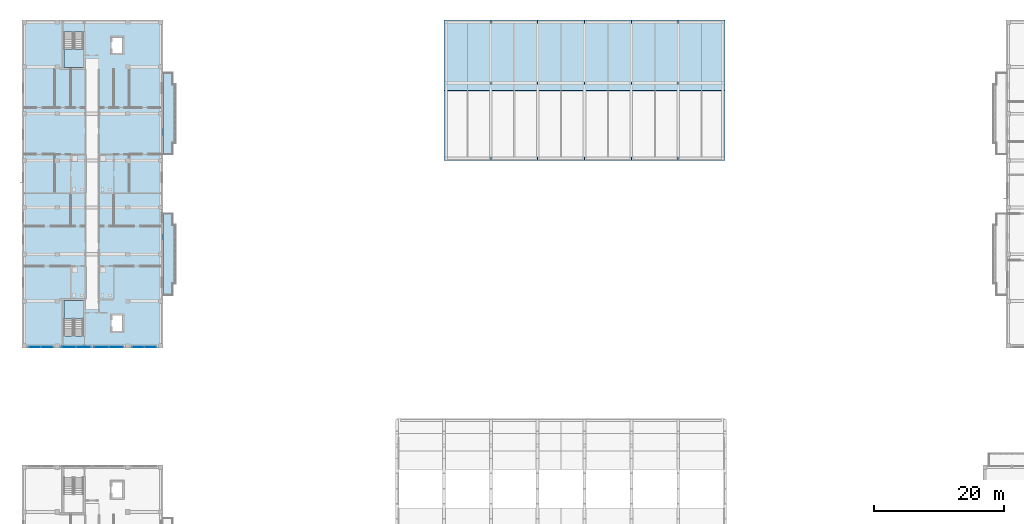
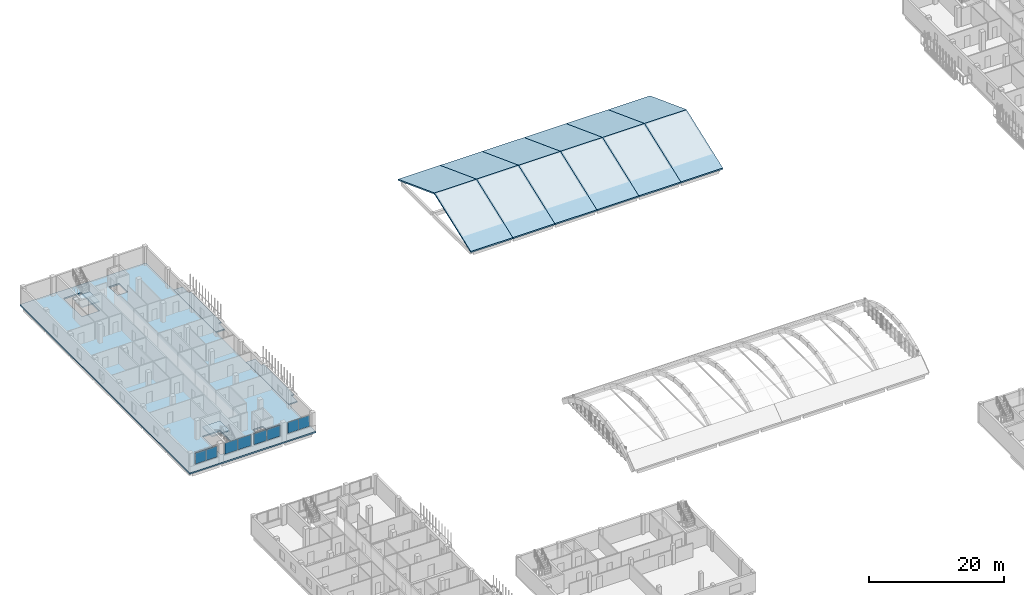
# One storey, part 32 of 73: 17 slabs, 8 plates, 7 elements without a shape of their own.
"""IFC4 building model written with IfcOpenShell, lengths in metres."""

from ifc_helpers import new_model, si_unit, derived_unit, direction, frame, origin, origin_2d, place, context, subcontext, project, spatial, polyline, rectangle, outline, extrude, material, layer, layer_set, type_object, element, aggregate, save


model = new_model("IFC4")

# Units and contexts
model_context = context("Model", 3, precision=1e-05, world=origin(), true_north=direction((0.0, 1.0)))
body_context = subcontext(model_context, "Body", "Model", "MODEL_VIEW")
ifc_project = project(units=[si_unit("LENGTHUNIT", "METRE"), si_unit("AREAUNIT", "SQUARE_METRE"), si_unit("VOLUMEUNIT", "CUBIC_METRE"), si_unit("PLANEANGLEUNIT", "RADIAN"), si_unit("MASSUNIT", "GRAM", prefix="KILO"), derived_unit("THERMALTRANSMITTANCEUNIT", [(si_unit("MASSUNIT", "GRAM", prefix="KILO"), 1), (si_unit("TIMEUNIT", "SECOND"), -3), (si_unit("THERMODYNAMICTEMPERATUREUNIT", "KELVIN"), -1)])], contexts=[model_context])

# Site, building, storey
site_placement = place(None, origin())
site = spatial("IfcSite", under=ifc_project, at=site_placement, CompositionType="ELEMENT")
building_placement = place(site_placement, origin())
building = spatial("IfcBuilding", under=site, at=building_placement, Name="Ochrekiln Boulevard Commons", CompositionType="ELEMENT")
storey_placement = place(building_placement, frame((0.0, 0.0, 8.574951171875)))
storey = spatial("IfcBuildingStorey", under=building, at=storey_placement, Name="L02", CompositionType="ELEMENT", Elevation=8.574951171875)

# Curtain wall, plates
ifc_material_1 = material(Name="Bronze-anodized extruded aluminium 6063-T6", Category="aluminium")
ifc_layer_1 = layer(ifc_material_1, 0.172119140625)
ifc_layer_set_1 = layer_set([ifc_layer_1], Name="Bronze-anodized extruded aluminium 6063-T6")
curtain_wall_type = type_object("IfcCurtainWallType", Name="CW-GABLE-A", PredefinedType="USERDEFINED", material=ifc_layer_set_1)
curtain_wall_1_placement = place(storey_placement, origin())
curtain_wall_1 = element("IfcCurtainWall", 1, at=curtain_wall_1_placement, inside=storey, type_object=curtain_wall_type, Name="Block A L02 Courtyard Glazed Gable Curtain Wall 4", ObjectType="GLAZED CURTAIN WALL", PredefinedType="USERDEFINED")
ifc_material_2 = material(Name="Spectrally selective low-E insulated glazing", Category="glass")
ifc_layer_2 = layer(ifc_material_2, 0.02392578125)
ifc_layer_set_2 = layer_set([ifc_layer_2], Name="Spectrally selective low-E insulated glazing")
plate_type_1 = type_object("IfcPlateType", Name="CWP-GLZ-1", PredefinedType="CURTAIN_PANEL", material=ifc_layer_set_2)
plate_1_placement = place(storey_placement, frame((17.788818359375, 68.56005859375, 1.175048828125), z_axis=(0.0, 0.0, 1.0), x_axis=(1.0, 0.0, 0.0)))
plate_1 = element("IfcPlate", 2, at=plate_1_placement, type_object=plate_type_1, Name="CW-01 panel 1.1", PredefinedType="CURTAIN_PANEL", context=body_context, shape_type="SweptSolid", body=[
    extrude(rectangle(XDim=1.8076171875, YDim=0.02392578125, at=origin_2d()), origin(), (0.0, 0.0, 1.0), 2.0),
])
plate_2_placement = place(storey_placement, frame((19.6611328125, 68.56005859375, 1.175048828125), z_axis=(0.0, 0.0, 1.0), x_axis=(1.0, 0.0, 0.0)))
plate_2 = element("IfcPlate", 3, at=plate_2_placement, type_object=plate_type_1, Name="CW-01 panel 2.1", PredefinedType="CURTAIN_PANEL", context=body_context, shape_type="SweptSolid", body=[
    extrude(rectangle(XDim=1.8076171875, YDim=0.02392578125, at=origin_2d()), origin(), (0.0, 0.0, 1.0), 2.0),
])
aggregate(curtain_wall_1, [plate_1, plate_2])

curtain_wall_2_placement = place(storey_placement, origin())
curtain_wall_2 = element("IfcCurtainWall", 4, at=curtain_wall_2_placement, inside=storey, type_object=curtain_wall_type, Name="Block A L02 Courtyard Glazed Gable Curtain Wall 1", ObjectType="GLAZED CURTAIN WALL", PredefinedType="USERDEFINED")
ifc_layer_3 = layer(ifc_material_2, 0.030029296875)
ifc_layer_set_3 = layer_set([ifc_layer_3], Name="Spectrally selective low-E insulated glazing")
plate_type_2 = type_object("IfcPlateType", Name="CWP-GLZ-2", PredefinedType="CURTAIN_PANEL", material=ifc_layer_set_3)
plate_3_placement = place(storey_placement, frame((1.9375, 68.56005859375, 1.169921875), z_axis=(0.0, 0.0, 1.0), x_axis=(1.0, 0.0, 0.0)))
plate_3 = element("IfcPlate", 5, at=plate_3_placement, type_object=plate_type_2, Name="CW-01 panel 1.1", PredefinedType="CURTAIN_PANEL", context=body_context, shape_type="SweptSolid", body=[
    extrude(rectangle(XDim=1.81494140625, YDim=0.030029296875, at=origin_2d()), origin(), (0.0, 0.0, 1.0), 2.010009765625),
])
plate_4_placement = place(storey_placement, frame((3.8125, 68.56005859375, 1.169921875), z_axis=(0.0, 0.0, 1.0), x_axis=(1.0, 0.0, 0.0)))
plate_4 = element("IfcPlate", 6, at=plate_4_placement, type_object=plate_type_2, Name="CW-01 panel 2.1", PredefinedType="CURTAIN_PANEL", context=body_context, shape_type="SweptSolid", body=[
    extrude(rectangle(XDim=1.81494140625, YDim=0.030029296875, at=origin_2d()), origin(), (0.0, 0.0, 1.0), 2.010009765625),
])
aggregate(curtain_wall_2, [plate_3, plate_4])

curtain_wall_3_placement = place(storey_placement, origin())
curtain_wall_3 = element("IfcCurtainWall", 7, at=curtain_wall_3_placement, inside=storey, type_object=curtain_wall_type, Name="Block A L02 Courtyard Glazed Gable Curtain Wall 2", ObjectType="GLAZED CURTAIN WALL", PredefinedType="USERDEFINED")
ifc_layer_4 = layer(ifc_material_2, 0.035888671875)
ifc_layer_set_4 = layer_set([ifc_layer_4], Name="Spectrally selective low-E insulated glazing")
plate_type_3 = type_object("IfcPlateType", Name="CWP-GLZ-3", PredefinedType="CURTAIN_PANEL", material=ifc_layer_set_4)
plate_5_placement = place(storey_placement, frame((7.18115234375, 68.56005859375, 1.175048828125), z_axis=(0.0, 0.0, 1.0), x_axis=(1.0, 0.0, 0.0)))
plate_5 = element("IfcPlate", 8, at=plate_5_placement, type_object=plate_type_3, Name="CW-01 panel 1.1", PredefinedType="CURTAIN_PANEL", context=body_context, shape_type="SweptSolid", body=[
    extrude(rectangle(XDim=2.1923828125, YDim=0.035888671875, at=origin_2d()), origin(), (0.0, 0.0, 1.0), 2.0),
])
plate_6_placement = place(storey_placement, frame((9.438720703125, 68.56005859375, 1.175048828125), z_axis=(0.0, 0.0, 1.0), x_axis=(1.0, 0.0, 0.0)))
plate_6 = element("IfcPlate", 9, at=plate_6_placement, type_object=plate_type_3, Name="CW-01 panel 2.1", PredefinedType="CURTAIN_PANEL", context=body_context, shape_type="SweptSolid", body=[
    extrude(rectangle(XDim=2.1923828125, YDim=0.035888671875, at=origin_2d()), origin(), (0.0, 0.0, 1.0), 2.0),
])
aggregate(curtain_wall_3, [plate_5, plate_6])

curtain_wall_4_placement = place(storey_placement, origin())
curtain_wall_4 = element("IfcCurtainWall", 10, at=curtain_wall_4_placement, inside=storey, type_object=curtain_wall_type, Name="Block A L02 Courtyard Glazed Gable Curtain Wall 3", ObjectType="GLAZED CURTAIN WALL", PredefinedType="USERDEFINED")
ifc_layer_5 = layer(ifc_material_2, 0.0419921875)
ifc_layer_set_5 = layer_set([ifc_layer_5], Name="Spectrally selective low-E insulated glazing")
plate_type_4 = type_object("IfcPlateType", Name="CWP-GLZ-4", PredefinedType="CURTAIN_PANEL", material=ifc_layer_set_5)
plate_7_placement = place(storey_placement, frame((12.159912109375, 68.56005859375, 1.169921875), z_axis=(0.0, 0.0, 1.0), x_axis=(1.0, 0.0, 0.0)))
plate_7 = element("IfcPlate", 11, at=plate_7_placement, type_object=plate_type_4, Name="CW-01 panel 1.1", PredefinedType="CURTAIN_PANEL", context=body_context, shape_type="SweptSolid", body=[
    extrude(rectangle(XDim=2.199951171875, YDim=0.0419921875, at=origin_2d()), origin(), (0.0, 0.0, 1.0), 2.010009765625),
])
plate_8_placement = place(storey_placement, frame((14.419921875, 68.56005859375, 1.169921875), z_axis=(0.0, 0.0, 1.0), x_axis=(1.0, 0.0, 0.0)))
plate_8 = element("IfcPlate", 12, at=plate_8_placement, type_object=plate_type_4, Name="CW-01 panel 2.1", PredefinedType="CURTAIN_PANEL", context=body_context, shape_type="SweptSolid", body=[
    extrude(rectangle(XDim=2.199951171875, YDim=0.0419921875, at=origin_2d()), origin(), (0.0, 0.0, 1.0), 2.010009765625),
])
aggregate(curtain_wall_4, [plate_7, plate_8])

# Slabs
ifc_material_3 = material(Name="Concrete C35/45", Category="concrete")
ifc_layer_6 = layer(ifc_material_3, 0.219970703125)
ifc_layer_set_6 = layer_set([ifc_layer_6], Name="Concrete C35/45")
slab_type_1 = type_object("IfcSlabType", Name="SLB-BAL-220", PredefinedType="FLOOR", material=ifc_layer_set_6)
slab_1_placement = place(storey_placement, frame((0.0, 0.0, -0.219970703125)))
element("IfcSlab", 13, at=slab_1_placement, inside=storey, type_object=slab_type_1, Name="Block A L02 Planter-Box Balcony Slab 1", PredefinedType="FLOOR", context=body_context, shape_type="SweptSolid", body=[
    extrude(outline(polyline([(21.60009765625, 76.5), (23.14990234375, 76.5), (23.14990234375, 78.300048828125), (23.60009765625, 78.300048828125), (23.60009765625, 87.300048828125), (23.14990234375, 87.300048828125), (23.14990234375, 89.10009765625), (21.60009765625, 89.10009765625), (21.60009765625, 76.5)])), origin(), (0.0, 0.0, 1.0), 0.219970703125),
])
slab_2_placement = place(storey_placement, frame((0.0, 0.0, -0.219970703125)))
element("IfcSlab", 14, at=slab_2_placement, inside=storey, type_object=slab_type_1, Name="Block A L02 Planter-Box Balcony Slab 2", PredefinedType="FLOOR", context=body_context, shape_type="SweptSolid", body=[
    extrude(outline(polyline([(21.60009765625, 98.10009765625), (23.14990234375, 98.10009765625), (23.14990234375, 99.89990234375), (23.60009765625, 99.89990234375), (23.60009765625, 108.89990234375), (23.14990234375, 108.89990234375), (23.14990234375, 110.699951171875), (21.60009765625, 110.699951171875), (21.60009765625, 98.10009765625)])), origin(), (0.0, 0.0, 1.0), 0.219970703125),
])

# Stair, slab
stair_type = type_object("IfcStairType", Name="STR-DL-350", PredefinedType="TWO_STRAIGHT_RUN_STAIR", material=ifc_material_3)
stair_1_placement = place(storey_placement, origin())
stair_1 = element("IfcStair", 15, at=stair_1_placement, inside=storey, type_object=stair_type, Name="L02 Enclosed Exit Stair ST-A1", PredefinedType="TWO_STRAIGHT_RUN_STAIR")
ifc_layer_7 = layer(ifc_material_3, 0.199951171875)
ifc_layer_set_7 = layer_set([ifc_layer_7], Name="Concrete C35/45")
slab_type_2 = type_object("IfcSlabType", Name="SLB-LND-200", PredefinedType="LANDING", material=ifc_layer_set_7)
slab_3_placement = place(storey_placement, frame((0.0, 0.0, 1.550048828125)))
slab_3 = element("IfcSlab", 16, at=slab_3_placement, type_object=slab_type_2, Name="ST-A1 landing 1", PredefinedType="LANDING", context=body_context, shape_type="SweptSolid", body=[
    extrude(outline(polyline([(9.39990234375, 72.8798828125), (9.39990234375, 75.719970703125), (6.39990234375, 75.719970703125), (6.39990234375, 72.8798828125), (9.39990234375, 72.8798828125)])), origin(), (0.0, 0.0, 1.0), 0.199951171875),
])
aggregate(stair_1, [slab_3])

stair_2_placement = place(storey_placement, origin())
stair_2 = element("IfcStair", 17, at=stair_2_placement, inside=storey, type_object=stair_type, Name="L02 Enclosed Exit Stair ST-A2", PredefinedType="TWO_STRAIGHT_RUN_STAIR")
slab_4_placement = place(storey_placement, frame((0.0, 0.0, 1.550048828125)))
slab_4 = element("IfcSlab", 18, at=slab_4_placement, type_object=slab_type_2, Name="ST-A2 landing 1", PredefinedType="LANDING", context=body_context, shape_type="SweptSolid", body=[
    extrude(outline(polyline([(6.39990234375, 114.320068359375), (6.39990234375, 111.47998046875), (9.39990234375, 111.47998046875), (9.39990234375, 114.320068359375), (6.39990234375, 114.320068359375)])), origin(), (0.0, 0.0, 1.0), 0.199951171875),
])
aggregate(stair_2, [slab_4])

# Roof, slabs
roof_type = type_object("IfcRoofType", Name="ROOF-GABLE", PredefinedType="GABLE_ROOF", material=ifc_material_3)
roof_placement = place(storey_placement, origin())
roof = element("IfcRoof", 19, at=roof_placement, inside=storey, type_object=roof_type, Name="Nursery Pavilion Pitched Roof", PredefinedType="GABLE_ROOF")
ifc_layer_8 = layer(ifc_material_3, 0.22998046875)
ifc_layer_set_8 = layer_set([ifc_layer_8], Name="Concrete C35/45")
slab_type_3 = type_object("IfcSlabType", Name="SLB-NUR-230", PredefinedType="ROOF", material=ifc_layer_set_8)
slab_5_placement = place(storey_placement, frame((64.800048828125, 97.199951171875, 0.0), z_axis=(1.0, 0.0, 0.0), x_axis=(0.0, 1.0, 0.0)))
slab_5 = element("IfcSlab", 20, at=slab_5_placement, type_object=slab_type_3, Name="Nursery Pitched Roof Slab 1S", PredefinedType="ROOF", context=body_context, shape_type="SweptSolid", body=[
    extrude(outline(polyline([(0.0, 0.0), (10.800048828125, 4.050048828125), (10.800048828125, 3.804443359375), (0.0, -0.24560546875), (0.0, 0.0)])), origin(), (0.0, 0.0, 1.0), 7.199951171875),
])
slab_6_placement = place(storey_placement, frame((72.0, 118.800048828125, 0.0), z_axis=(-1.0, 0.0, 0.0), x_axis=(0.0, -1.0, 0.0)))
slab_6 = element("IfcSlab", 21, at=slab_6_placement, type_object=slab_type_3, Name="Nursery Pitched Roof Slab 1N", PredefinedType="ROOF", context=body_context, shape_type="SweptSolid", body=[
    extrude(outline(polyline([(0.0, 0.0), (10.800048828125, 4.050048828125), (10.800048828125, 3.804443359375), (0.0, -0.24560546875), (0.0, 0.0)])), origin(), (0.0, 0.0, 1.0), 7.199951171875),
])
slab_7_placement = place(storey_placement, frame((72.0, 97.199951171875, 0.0), z_axis=(1.0, 0.0, 0.0), x_axis=(0.0, 1.0, 0.0)))
slab_7 = element("IfcSlab", 22, at=slab_7_placement, type_object=slab_type_3, Name="Nursery Pitched Roof Slab 2S", PredefinedType="ROOF", context=body_context, shape_type="SweptSolid", body=[
    extrude(outline(polyline([(0.0, 0.0), (10.800048828125, 4.050048828125), (10.800048828125, 3.804443359375), (0.0, -0.24560546875), (0.0, 0.0)])), origin(), (0.0, 0.0, 1.0), 7.199951171875),
])
slab_8_placement = place(storey_placement, frame((79.199951171875, 118.800048828125, 0.0), z_axis=(-1.0, 0.0, 0.0), x_axis=(0.0, -1.0, 0.0)))
slab_8 = element("IfcSlab", 23, at=slab_8_placement, type_object=slab_type_3, Name="Nursery Pitched Roof Slab 2N", PredefinedType="ROOF", context=body_context, shape_type="SweptSolid", body=[
    extrude(outline(polyline([(0.0, 0.0), (10.800048828125, 4.050048828125), (10.800048828125, 3.804443359375), (0.0, -0.24560546875), (0.0, 0.0)])), origin(), (0.0, 0.0, 1.0), 7.199951171875),
])
slab_9_placement = place(storey_placement, frame((79.199951171875, 97.199951171875, 0.0), z_axis=(1.0, 0.0, 0.0), x_axis=(0.0, 1.0, 0.0)))
slab_9 = element("IfcSlab", 24, at=slab_9_placement, type_object=slab_type_3, Name="Nursery Pitched Roof Slab 3S", PredefinedType="ROOF", context=body_context, shape_type="SweptSolid", body=[
    extrude(outline(polyline([(0.0, 0.0), (10.800048828125, 4.050048828125), (10.800048828125, 3.804443359375), (0.0, -0.24560546875), (0.0, 0.0)])), origin(), (0.0, 0.0, 1.0), 7.199951171875),
])
slab_10_placement = place(storey_placement, frame((86.39990234375, 118.800048828125, 0.0), z_axis=(-1.0, 0.0, 0.0), x_axis=(0.0, -1.0, 0.0)))
slab_10 = element("IfcSlab", 25, at=slab_10_placement, type_object=slab_type_3, Name="Nursery Pitched Roof Slab 3N", PredefinedType="ROOF", context=body_context, shape_type="SweptSolid", body=[
    extrude(outline(polyline([(0.0, 0.0), (10.800048828125, 4.050048828125), (10.800048828125, 3.804443359375), (0.0, -0.24560546875), (0.0, 0.0)])), origin(), (0.0, 0.0, 1.0), 7.199951171875),
])
slab_11_placement = place(storey_placement, frame((86.39990234375, 97.199951171875, 0.0), z_axis=(1.0, 0.0, 0.0), x_axis=(0.0, 1.0, 0.0)))
slab_11 = element("IfcSlab", 26, at=slab_11_placement, type_object=slab_type_3, Name="Nursery Pitched Roof Slab 4S", PredefinedType="ROOF", context=body_context, shape_type="SweptSolid", body=[
    extrude(outline(polyline([(0.0, 0.0), (10.800048828125, 4.050048828125), (10.800048828125, 3.804443359375), (0.0, -0.24560546875), (0.0, 0.0)])), origin(), (0.0, 0.0, 1.0), 7.199951171875),
])
slab_12_placement = place(storey_placement, frame((93.60009765625, 118.800048828125, 0.0), z_axis=(-1.0, 0.0, 0.0), x_axis=(0.0, -1.0, 0.0)))
slab_12 = element("IfcSlab", 27, at=slab_12_placement, type_object=slab_type_3, Name="Nursery Pitched Roof Slab 4N", PredefinedType="ROOF", context=body_context, shape_type="SweptSolid", body=[
    extrude(outline(polyline([(0.0, 0.0), (10.800048828125, 4.050048828125), (10.800048828125, 3.804443359375), (0.0, -0.24560546875), (0.0, 0.0)])), origin(), (0.0, 0.0, 1.0), 7.199951171875),
])
slab_13_placement = place(storey_placement, frame((93.60009765625, 97.199951171875, 0.0), z_axis=(1.0, 0.0, 0.0), x_axis=(0.0, 1.0, 0.0)))
slab_13 = element("IfcSlab", 28, at=slab_13_placement, type_object=slab_type_3, Name="Nursery Pitched Roof Slab 5S", PredefinedType="ROOF", context=body_context, shape_type="SweptSolid", body=[
    extrude(outline(polyline([(0.0, 0.0), (10.800048828125, 4.050048828125), (10.800048828125, 3.804443359375), (0.0, -0.24560546875), (0.0, 0.0)])), origin(), (0.0, 0.0, 1.0), 7.199951171875),
])
slab_14_placement = place(storey_placement, frame((100.800048828125, 118.800048828125, 0.0), z_axis=(-1.0, 0.0, 0.0), x_axis=(0.0, -1.0, 0.0)))
slab_14 = element("IfcSlab", 29, at=slab_14_placement, type_object=slab_type_3, Name="Nursery Pitched Roof Slab 5N", PredefinedType="ROOF", context=body_context, shape_type="SweptSolid", body=[
    extrude(outline(polyline([(0.0, 0.0), (10.800048828125, 4.050048828125), (10.800048828125, 3.804443359375), (0.0, -0.24560546875), (0.0, 0.0)])), origin(), (0.0, 0.0, 1.0), 7.199951171875),
])
slab_15_placement = place(storey_placement, frame((100.800048828125, 97.199951171875, 0.0), z_axis=(1.0, 0.0, 0.0), x_axis=(0.0, 1.0, 0.0)))
slab_15 = element("IfcSlab", 30, at=slab_15_placement, type_object=slab_type_3, Name="Nursery Pitched Roof Slab 6S", PredefinedType="ROOF", context=body_context, shape_type="SweptSolid", body=[
    extrude(outline(polyline([(0.0, 0.0), (10.800048828125, 4.050048828125), (10.800048828125, 3.804443359375), (0.0, -0.24560546875), (0.0, 0.0)])), origin(), (0.0, 0.0, 1.0), 7.199951171875),
])
slab_16_placement = place(storey_placement, frame((108.0, 118.800048828125, 0.0), z_axis=(-1.0, 0.0, 0.0), x_axis=(0.0, -1.0, 0.0)))
slab_16 = element("IfcSlab", 31, at=slab_16_placement, type_object=slab_type_3, Name="Nursery Pitched Roof Slab 6N", PredefinedType="ROOF", context=body_context, shape_type="SweptSolid", body=[
    extrude(outline(polyline([(0.0, 0.0), (10.800048828125, 4.050048828125), (10.800048828125, 3.804443359375), (0.0, -0.24560546875), (0.0, 0.0)])), origin(), (0.0, 0.0, 1.0), 7.199951171875),
])
aggregate(roof, [slab_5, slab_6, slab_7, slab_8, slab_9, slab_10, slab_11, slab_12, slab_13, slab_14, slab_15, slab_16])

# Slab
ifc_layer_9 = layer(ifc_material_3, 0.260009765625)
ifc_layer_set_9 = layer_set([ifc_layer_9], Name="Concrete C35/45")
slab_type_4 = type_object("IfcSlabType", Name="SLB-RES-260", PredefinedType="FLOOR", material=ifc_layer_set_9)
slab_17_placement = place(storey_placement, frame((0.0, 0.0, -0.260009765625)))
element("IfcSlab", 32, at=slab_17_placement, inside=storey, type_object=slab_type_4, Name="Block A L02 Reinforced Concrete Floor Slab", PredefinedType="FLOOR", context=body_context, shape_type="SweptSolid", body=[
    extrude(outline(polyline([(0.0, 68.39990234375), (21.60009765625, 68.39990234375), (21.60009765625, 118.800048828125), (0.0, 118.800048828125), (0.0, 68.39990234375)]), holes=[polyline([(9.39990234375, 70.2705078125), (9.39990234375, 75.719970703125), (6.39990234375, 75.719970703125), (6.39990234375, 70.2705078125), (9.39990234375, 70.2705078125)]), polyline([(6.39990234375, 116.929443359375), (6.39990234375, 111.47998046875), (9.39990234375, 111.47998046875), (9.39990234375, 116.929443359375), (6.39990234375, 116.929443359375)]), polyline([(13.75, 70.949951171875), (15.449951171875, 70.949951171875), (15.449951171875, 73.449951171875), (13.75, 73.449951171875), (13.75, 70.949951171875)]), polyline([(13.75, 113.64990234375), (15.449951171875, 113.64990234375), (15.449951171875, 116.14990234375), (13.75, 116.14990234375), (13.75, 113.64990234375)])]), origin(), (0.0, 0.0, 1.0), 0.260009765625),
])

save(model, "model.ifc")
